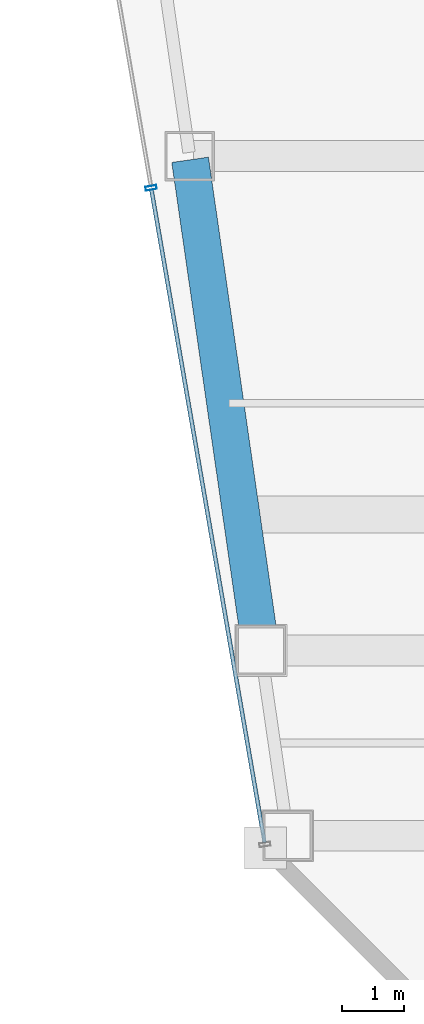
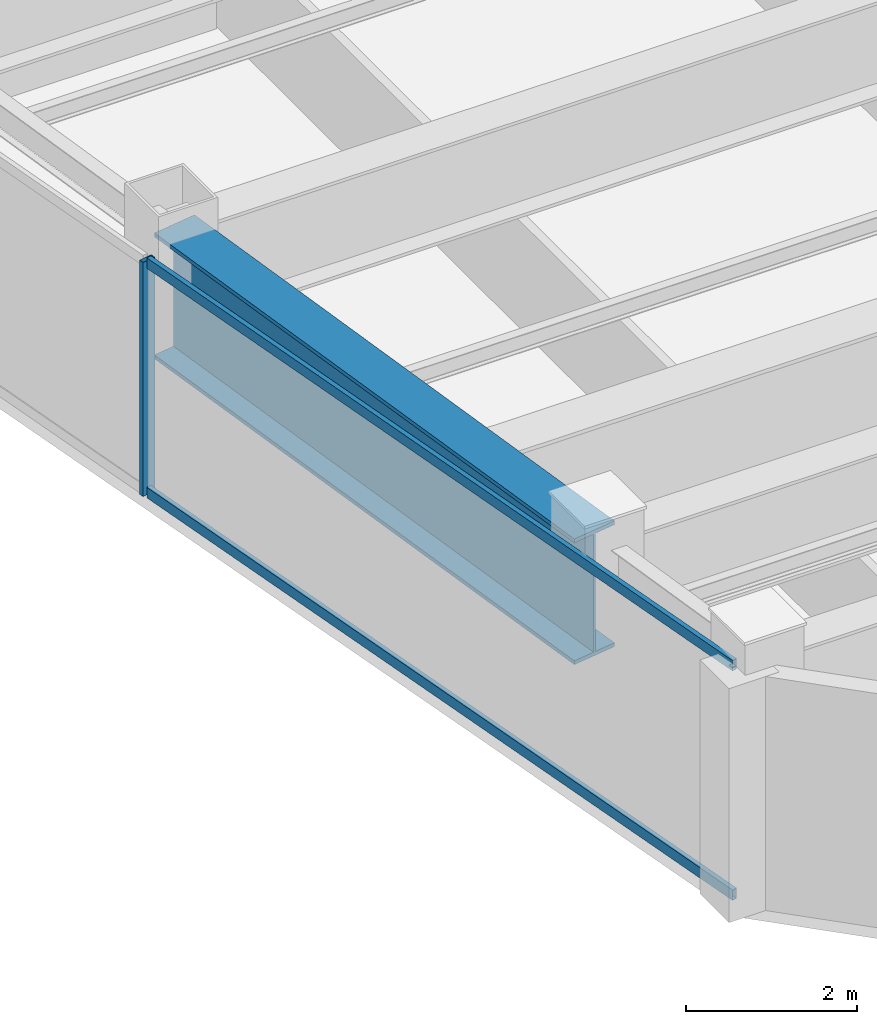
# One storey, part 4 of 35: 3 members, 1 beam, 1 element without a shape of its own.
"""IFC4 building model written with IfcOpenShell, lengths in metres."""

from ifc_helpers import new_model, si_unit, direction, frame, origin, origin_2d, place, context, subcontext, project, spatial, hollow_rectangle, i_section, extrude, material, material_profile, profile_set, type_object, element, aggregate, save


model = new_model("IFC4")

# Units and contexts
model_context = context("Model", 3, precision=1e-05, world=origin(), true_north=direction((0.0, 1.0)))
body_context = subcontext(model_context, "Body", "Model", "MODEL_VIEW")
ifc_project = project(units=[si_unit("LENGTHUNIT", "METRE"), si_unit("AREAUNIT", "SQUARE_METRE"), si_unit("VOLUMEUNIT", "CUBIC_METRE"), si_unit("PLANEANGLEUNIT", "RADIAN"), si_unit("MASSUNIT", "GRAM", prefix="KILO")], contexts=[model_context])

# Site, building, storey
site_placement = place(None, origin())
site = spatial("IfcSite", under=ifc_project, at=site_placement, CompositionType="ELEMENT")
building_placement = place(site_placement, origin())
building = spatial("IfcBuilding", under=site, at=building_placement, Name="Saevonmaru Cultural Tower", CompositionType="ELEMENT")
storey_placement = place(building_placement, frame((0.0, 0.0, 249.60009765625)))
storey = spatial("IfcBuildingStorey", under=building, at=storey_placement, Name="L58", CompositionType="ELEMENT", Elevation=249.60009765625)

# Beam
ifc_material_1 = material(Name="Steel HSA600 (600 MPa)", Category="steel")
ifc_material_profile_1 = material_profile(ifc_material_1, i_section(OverallWidth=0.60009765625, OverallDepth=1.800048828125, WebThickness=0.028076171875, FlangeThickness=0.054931640625, at=origin_2d()), Name="PG-1800x600x28x55")
ifc_profile_set_1 = profile_set([ifc_material_profile_1], Name="Steel HSA600 (600 MPa)")
beam_type = type_object("IfcBeamType", Name="BM-TG-PG1800-EXT", PredefinedType="SPANDREL", material=ifc_profile_set_1)
beam_placement = place(storey_placement, frame((9.46337890625, 24.059326171875, 2.449951171875), z_axis=(-0.142871999001, 0.989741174197, 0.0), x_axis=(-0.989741174197, -0.142871999001, 0.0)))
element("IfcBeam", 1, at=beam_placement, inside=storey, type_object=beam_type, Name="L58 West Splayed Spandrel 2", PredefinedType="SPANDREL", context=body_context, shape_type="SweptSolid", body=[
    extrude(i_section(OverallWidth=0.60009765625, OverallDepth=1.800048828125, WebThickness=0.028076171875, FlangeThickness=0.054931640625, at=origin_2d()), origin(), (0.0, 0.0, 1.0), 7.963134765625),
])

# Curtain wall, members
ifc_material_2 = material(Name="Satin Bronze Anodised Aluminium", Category="aluminium")
curtain_wall_type = type_object("IfcCurtainWallType", Name="CW-TYP-B", PredefinedType="NOTDEFINED", material=ifc_material_2)
curtain_wall_placement = place(storey_placement, origin())
curtain_wall = element("IfcCurtainWall", 2, at=curtain_wall_placement, inside=storey, type_object=curtain_wall_type, Name="L58 Unitised Curtain Wall E12", PredefinedType="NOTDEFINED")
ifc_material_profile_2 = material_profile(ifc_material_2, hollow_rectangle(XDim=0.06494140625, YDim=0.179931640625, WallThickness=0.00390625, at=origin_2d()), Name="ALU-MULL-180x65x4")
ifc_profile_set_2 = profile_set([ifc_material_profile_2], Name="Satin Bronze Anodised Aluminium")
member_type_1 = type_object("IfcMemberType", Name="ML-CW-180x65", PredefinedType="MULLION", material=ifc_profile_set_2)
member_1_placement = place(storey_placement, frame((7.6943359375, 31.486328125, 0.0), z_axis=(0.0, 0.0, 1.0), x_axis=(0.170790369887, -0.985307388359, 0.0)))
member_1 = element("IfcMember", 3, at=member_1_placement, type_object=member_type_1, Name="CW-TW-L58-E12 mullion 3", PredefinedType="MULLION", context=body_context, shape_type="SweptSolid", body=[
    extrude(hollow_rectangle(XDim=0.06494140625, YDim=0.179931640625, WallThickness=0.00390625, at=origin_2d()), origin(), (0.0, 0.0, 1.0), 3.349853515625),
])
ifc_material_profile_3 = material_profile(ifc_material_2, hollow_rectangle(XDim=0.06494140625, YDim=0.14990234375, WallThickness=0.00390625, at=origin_2d()), Name="ALU-TRAN-150x65x4")
ifc_profile_set_3 = profile_set([ifc_material_profile_3], Name="Satin Bronze Anodised Aluminium")
member_type_2 = type_object("IfcMemberType", Name="TR-CW-150x65", PredefinedType="USERDEFINED", material=ifc_profile_set_3)
member_2_placement = place(storey_placement, frame((7.699951171875, 31.454345703125, 0.032470703125), z_axis=(0.170795272137, -0.985306538604, 0.0), x_axis=(0.985306538604, 0.170795272137, 0.0)))
member_2 = element("IfcMember", 4, at=member_2_placement, type_object=member_type_2, Name="CW-TW-L58-E12 transom 3.1", ObjectType="TRANSOM", PredefinedType="USERDEFINED", context=body_context, shape_type="SweptSolid", body=[
    extrude(hollow_rectangle(XDim=0.06494140625, YDim=0.14990234375, WallThickness=0.00390625, at=origin_2d()), origin(), (0.0, 0.0, 1.0), 10.720703125),
])
member_3_placement = place(storey_placement, frame((7.699951171875, 31.454345703125, 3.3173828125), z_axis=(0.170795272137, -0.985306538604, 0.0), x_axis=(0.985306538604, 0.170795272137, 0.0)))
member_3 = element("IfcMember", 5, at=member_3_placement, type_object=member_type_2, Name="CW-TW-L58-E12 transom 3.2", ObjectType="TRANSOM", PredefinedType="USERDEFINED", context=body_context, shape_type="SweptSolid", body=[
    extrude(hollow_rectangle(XDim=0.06494140625, YDim=0.14990234375, WallThickness=0.00390625, at=origin_2d()), origin(), (0.0, 0.0, 1.0), 10.720703125),
])
aggregate(curtain_wall, [member_1, member_2, member_3])

save(model, "model.ifc")
